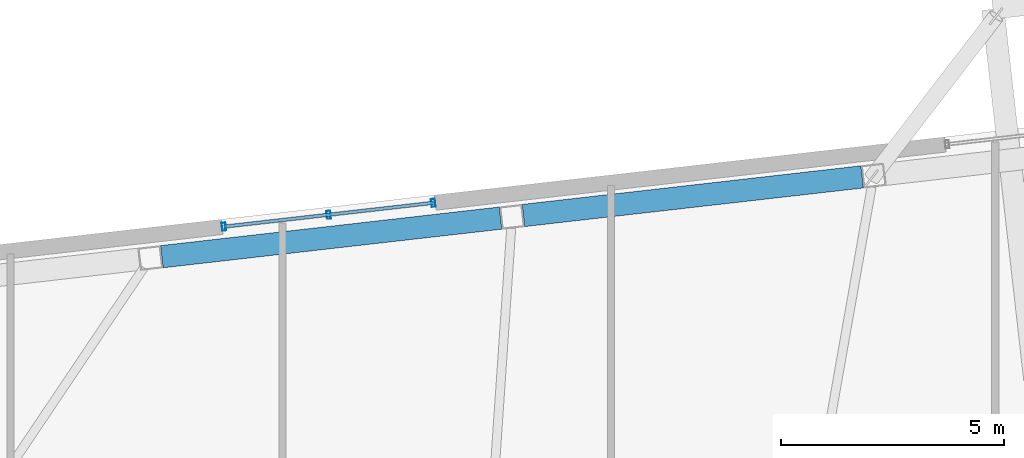
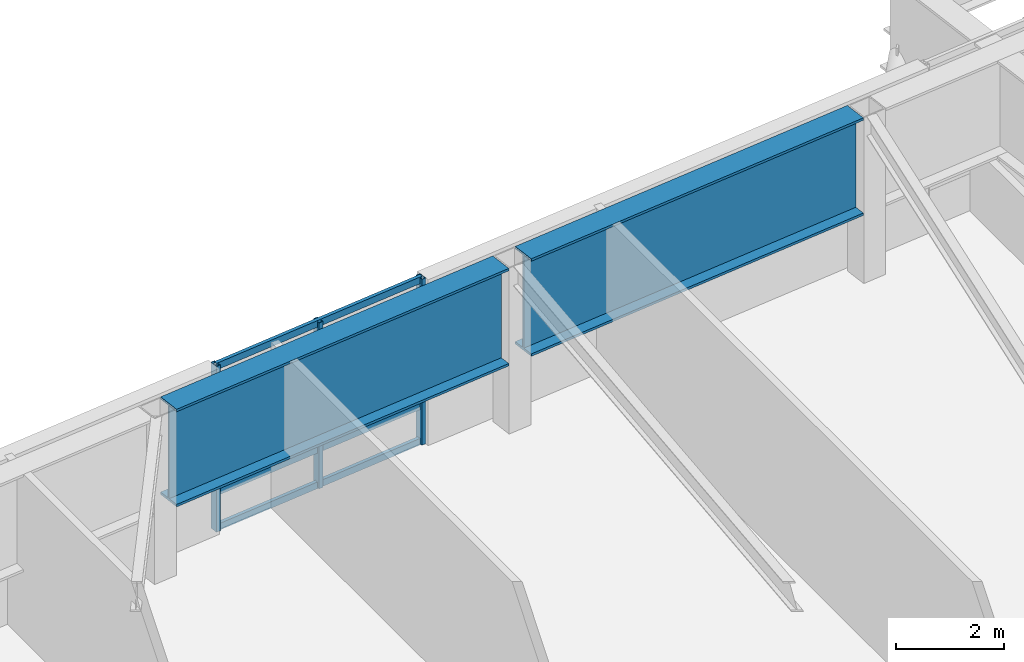
# One storey, part 8 of 20: 6 members, 2 beams, 1 element without a shape of its own.
"""IFC4 building model written with IfcOpenShell, lengths in metres."""

from ifc_helpers import new_model, si_unit, direction, frame, origin, origin_2d, place, context, subcontext, project, spatial, hollow_rectangle, i_section, extrude, material, layer, layer_set, material_profile, profile_set, type_object, element, aggregate, save


model = new_model("IFC4")

# Units and contexts
model_context = context("Model", 3, precision=1e-05, world=origin(), true_north=direction((0.0, 1.0)))
body_context = subcontext(model_context, "Body", "Model", "MODEL_VIEW")
ifc_project = project(units=[si_unit("LENGTHUNIT", "METRE"), si_unit("AREAUNIT", "SQUARE_METRE"), si_unit("VOLUMEUNIT", "CUBIC_METRE"), si_unit("PLANEANGLEUNIT", "RADIAN"), si_unit("MASSUNIT", "GRAM", prefix="KILO")], contexts=[model_context])

# Site, building, storey
site_placement = place(None, origin())
site = spatial("IfcSite", under=ifc_project, at=site_placement, CompositionType="ELEMENT")
building_placement = place(site_placement, origin())
building = spatial("IfcBuilding", under=site, at=building_placement, Name="Tavrogorsk Clinical Tower", CompositionType="ELEMENT")
storey_placement = place(building_placement, frame((0.0, 0.0, 234.199951171875)))
storey = spatial("IfcBuildingStorey", under=building, at=storey_placement, Name="L54", CompositionType="ELEMENT", Elevation=234.199951171875)

# Curtain wall, members
ifc_material_1 = material(Name="Anodised aluminium and triple IGU glazing", Category="aluminium")
ifc_layer = layer(ifc_material_1, 0.179931640625)
ifc_layer_set = layer_set([ifc_layer], Name="Anodised aluminium and triple IGU glazing")
curtain_wall_type = type_object("IfcCurtainWallType", Name="CW2_NorthSlot", PredefinedType="NOTDEFINED", material=ifc_layer_set)
curtain_wall_placement = place(storey_placement, origin())
curtain_wall = element("IfcCurtainWall", 1, at=curtain_wall_placement, inside=storey, type_object=curtain_wall_type, Name="L54 Curtain Wall CW-L54-N-SLOT-1", PredefinedType="NOTDEFINED")
ifc_material_2 = material(Name="Anodised aluminium alloy AW-6060", Category="aluminium")
ifc_material_profile_1 = material_profile(ifc_material_2, hollow_rectangle(XDim=0.090087890625, YDim=0.179931640625, WallThickness=0.00634765625, at=origin_2d()), Name="RHS-180x90x6.3")
ifc_profile_set_1 = profile_set([ifc_material_profile_1], Name="Anodised aluminium alloy AW-6060")
member_type_1 = type_object("IfcMemberType", Name="CwMullion_180x90", PredefinedType="MULLION", material=ifc_profile_set_1)
member_1_placement = place(storey_placement, frame((-10.781982421875, 25.42529296875, 0.0), z_axis=(0.0, 0.0, 1.0), x_axis=(-0.993571855603, -0.11320321441, 0.0)))
member_1 = element("IfcMember", 2, at=member_1_placement, type_object=member_type_1, Name="CW-L54-N-SLOT-1 Mullion 1", PredefinedType="MULLION", context=body_context, shape_type="SweptSolid", body=[
    extrude(hollow_rectangle(XDim=0.090087890625, YDim=0.179931640625, WallThickness=0.00634765625, at=origin_2d()), origin(), (0.0, 0.0, 1.0), 3.739990234375),
])
member_2_placement = place(storey_placement, frame((-13.1259765625, 25.158203125, 0.0), z_axis=(0.0, 0.0, 1.0), x_axis=(-0.993571855603, -0.11320321441, 0.0)))
member_2 = element("IfcMember", 3, at=member_2_placement, type_object=member_type_1, Name="CW-L54-N-SLOT-1 Mullion 2", PredefinedType="MULLION", context=body_context, shape_type="SweptSolid", body=[
    extrude(hollow_rectangle(XDim=0.090087890625, YDim=0.179931640625, WallThickness=0.00634765625, at=origin_2d()), origin(), (0.0, 0.0, 1.0), 3.739990234375),
])
member_3_placement = place(storey_placement, frame((-15.4697265625, 24.89111328125, 0.0), z_axis=(0.0, 0.0, 1.0), x_axis=(-0.993571855603, -0.11320321441, 0.0)))
member_3 = element("IfcMember", 4, at=member_3_placement, type_object=member_type_1, Name="CW-L54-N-SLOT-1 Mullion 3", PredefinedType="MULLION", context=body_context, shape_type="SweptSolid", body=[
    extrude(hollow_rectangle(XDim=0.090087890625, YDim=0.179931640625, WallThickness=0.00634765625, at=origin_2d()), origin(), (0.0, 0.0, 1.0), 3.739990234375),
])
ifc_material_3 = material(Name="Anodised aluminium alloy AW-6060", Category="aluminium")
ifc_material_profile_2 = material_profile(ifc_material_3, hollow_rectangle(XDim=0.074951171875, YDim=0.14990234375, WallThickness=0.0048828125, at=origin_2d()), Name="RHS-150x75x5")
ifc_profile_set_2 = profile_set([ifc_material_profile_2], Name="Anodised aluminium alloy AW-6060")
member_type_2 = type_object("IfcMemberType", Name="CwTransom_150x75", PredefinedType="USERDEFINED", material=ifc_profile_set_2)
member_4_placement = place(storey_placement, frame((-10.781982421875, 25.42529296875, 0.050048828125), z_axis=(-0.993569979218, -0.113219682023, 0.0), x_axis=(0.113219682023, -0.993569979218, 0.0)))
member_4 = element("IfcMember", 5, at=member_4_placement, type_object=member_type_2, Name="CW-L54-N-SLOT-1 Transom 1", ObjectType="TRANSOM", PredefinedType="USERDEFINED", context=body_context, shape_type="SweptSolid", body=[
    extrude(hollow_rectangle(XDim=0.074951171875, YDim=0.14990234375, WallThickness=0.0048828125, at=origin_2d()), origin(), (0.0, 0.0, 1.0), 4.718017578125),
])
member_5_placement = place(storey_placement, frame((-10.781982421875, 25.42529296875, 0.85009765625), z_axis=(-0.993569979218, -0.113219682023, 0.0), x_axis=(0.113219682023, -0.993569979218, 0.0)))
member_5 = element("IfcMember", 6, at=member_5_placement, type_object=member_type_2, Name="CW-L54-N-SLOT-1 Transom 2", ObjectType="TRANSOM", PredefinedType="USERDEFINED", context=body_context, shape_type="SweptSolid", body=[
    extrude(hollow_rectangle(XDim=0.074951171875, YDim=0.14990234375, WallThickness=0.0048828125, at=origin_2d()), origin(), (0.0, 0.0, 1.0), 4.718017578125),
])
member_6_placement = place(storey_placement, frame((-10.781982421875, 25.42529296875, 3.68994140625), z_axis=(-0.993569979218, -0.113219682023, 0.0), x_axis=(0.113219682023, -0.993569979218, 0.0)))
member_6 = element("IfcMember", 7, at=member_6_placement, type_object=member_type_2, Name="CW-L54-N-SLOT-1 Transom 3", ObjectType="TRANSOM", PredefinedType="USERDEFINED", context=body_context, shape_type="SweptSolid", body=[
    extrude(hollow_rectangle(XDim=0.074951171875, YDim=0.14990234375, WallThickness=0.0048828125, at=origin_2d()), origin(), (0.0, 0.0, 1.0), 4.718017578125),
])
aggregate(curtain_wall, [member_1, member_2, member_3, member_4, member_5, member_6])

# Beams
ifc_material_4 = material(Name="Structural steel S440", Category="steel")
ifc_material_profile_3 = material_profile(ifc_material_4, i_section(OverallWidth=0.5, OverallDepth=2.199951171875, WebThickness=0.035888671875, FlangeThickness=0.054931640625, at=origin_2d()), Name="DK-2200x500x36x55")
ifc_profile_set_3 = profile_set([ifc_material_profile_3], Name="Structural steel S440")
beam_type = type_object("IfcBeamType", Name="TransferGirder_DK2200", PredefinedType="USERDEFINED", material=ifc_profile_set_3)
for number, where, z_axis, x_axis, name in (
    (8, (-1.18017578125, 26.006103515625, 2.64013671875), (-0.993568501687, -0.113232647478, 0.0), (0.113232647478, -0.993568501687, 0.0), "L54 Perimeter Spandrel N4-N5"),
    (9, (-9.2763671875, 25.08349609375, 2.64013671875), (-0.993572099834, -0.113201070804, 0.0), (0.113201070804, -0.993572099834, 0.0), "L54 Perimeter Spandrel N5-N6"),
):
    element("IfcBeam", number, at=place(storey_placement, frame(where, z_axis=z_axis, x_axis=x_axis)), inside=storey, type_object=beam_type, Name=name, ObjectType="GIRDER", PredefinedType="USERDEFINED", context=body_context, shape_type="SweptSolid", body=[
        extrude(i_section(OverallWidth=0.5, OverallDepth=2.199951171875, WebThickness=0.035888671875, FlangeThickness=0.054931640625, at=origin_2d()), origin(), (0.0, 0.0, 1.0), 7.632568359375),
    ])

save(model, "model.ifc")
